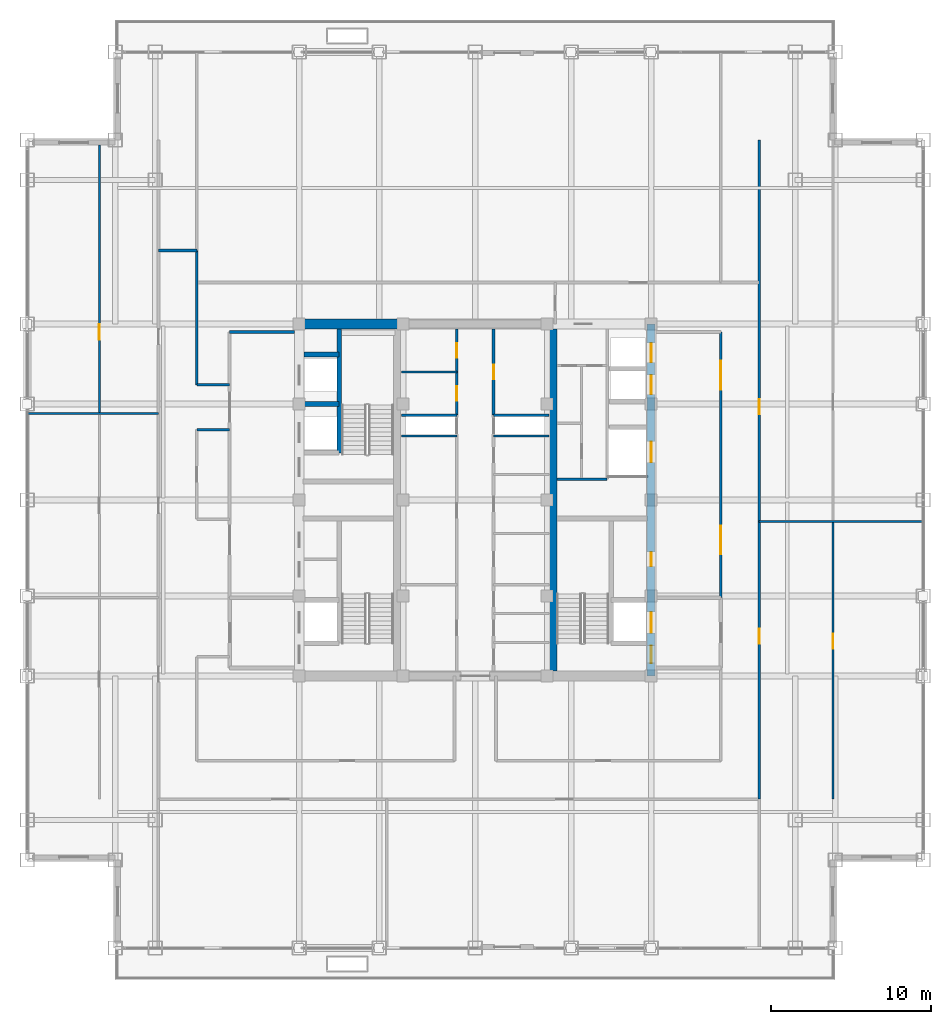
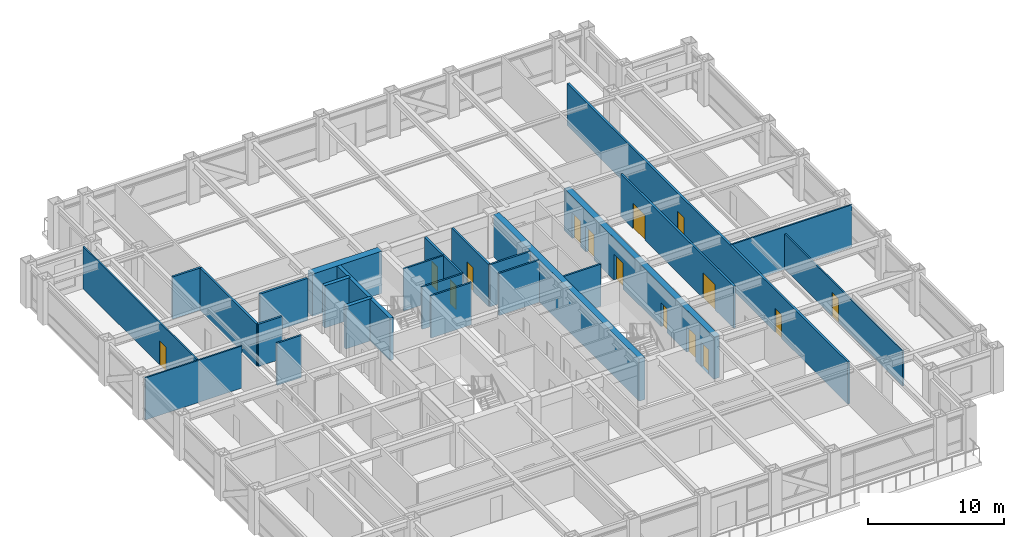
# One storey, part 28 of 32: 25 walls, 15 doors, 15 openings.
"""IFC4 building model written with IfcOpenShell, lengths in metres."""

import ifcopenshell
import ifcopenshell.guid

model = None  # the IFC model being written
_history = None  # IfcOwnerHistory: only IFC2X3 demands one
_inside = {}  # id of a spatial element -> (the spatial element, [elements in it])
_under = {}  # id of a project, library or spatial element -> (it, [spatial elements below it])
_declared = {}  # id of a project -> (the project, [libraries it declares])
_typed = {}  # id of a type object -> (the type object, [elements of that type])
_made_of = {}  # id of a material, layer set ... -> (it, [elements and type objects made of it])


def new_model(schema):
    """Start an empty IFC model of exactly this schema.

    Asked for "IFC4X3", IfcOpenShell would pick the latest addendum, in which some entities
    have other attributes; the version numbers below select the first issue.
    IFC2X3 requires an IfcOwnerHistory on every rooted entity: one is made here for all.
    """
    global model, _history
    if schema == "IFC4X3":
        model = ifcopenshell.file(schema_version=(4, 3, 0, 0))
    else:
        model = ifcopenshell.file(schema=schema)
    _inside.clear()
    _under.clear()
    _declared.clear()
    _typed.clear()
    _made_of.clear()
    _history = None
    if model.schema == "IFC2X3":
        org = make("IfcOrganization", Name="unknown")
        user = make(
            "IfcPersonAndOrganization",
            ThePerson=make("IfcPerson", FamilyName="unknown"),
            TheOrganization=org,
        )
        app = make(
            "IfcApplication",
            ApplicationDeveloper=org,
            Version="unknown",
            ApplicationFullName="unknown",
            ApplicationIdentifier="unknown",
        )
        _history = make(
            "IfcOwnerHistory",
            OwningUser=user,
            OwningApplication=app,
            ChangeAction="ADDED",
            CreationDate=0,
        )
    return model


def make(cls, **values):
    """One entity of the class cls with the attributes given. An attribute that is None is left unset."""
    return model.create_entity(
        cls, **{name: value for name, value in values.items() if value is not None}
    )


def rooted(cls, **values):
    """An entity with a GlobalId (a new one), such as an element, a storey or a relation."""
    return make(cls, GlobalId=ifcopenshell.guid.new(), OwnerHistory=_history, **values)


def si_unit(unit_type, name, prefix=None):
    """IfcSIUnit, for example si_unit("LENGTHUNIT", "METRE", prefix="MILLI")."""
    return make("IfcSIUnit", UnitType=unit_type, Prefix=prefix, Name=name)


def assignment(units):
    """IfcUnitAssignment: the units of a project."""
    return None if units is None else make("IfcUnitAssignment", Units=units)


def point(xyz):
    """IfcCartesianPoint."""
    return None if xyz is None else make("IfcCartesianPoint", Coordinates=xyz)


def direction(xyz):
    """IfcDirection."""
    return None if xyz is None else make("IfcDirection", DirectionRatios=xyz)


def frame(location, z_axis=None, x_axis=None):
    """IfcAxis2Placement3D, a coordinate frame: its origin and axes. An axis left out is left unset."""
    return make(
        "IfcAxis2Placement3D",
        Location=point(location),
        Axis=direction(z_axis),
        RefDirection=direction(x_axis),
    )


def frame_2d(location, x_axis=None):
    """IfcAxis2Placement2D, a coordinate frame in the plane: its origin and x axis."""
    return make(
        "IfcAxis2Placement2D", Location=point(location), RefDirection=direction(x_axis)
    )


def origin():
    """The frame at (0, 0, 0) with its axes left unset."""
    return frame((0.0, 0.0, 0.0))


def place(relative_to, where):
    """IfcLocalPlacement: puts the frame where relative to a parent placement (None: the world)."""
    return make(
        "IfcLocalPlacement", PlacementRelTo=relative_to, RelativePlacement=where
    )


def context(
    kind, dimensions, precision=None, world=None, true_north=None, identifier=None
):
    """IfcGeometricRepresentationContext, for example the 3D "Model" context."""
    return make(
        "IfcGeometricRepresentationContext",
        ContextIdentifier=identifier,
        ContextType=kind,
        CoordinateSpaceDimension=dimensions,
        Precision=precision,
        WorldCoordinateSystem=world,
        TrueNorth=true_north,
    )


def subcontext(parent, identifier, kind, view, scale=None):
    """IfcGeometricRepresentationSubContext, for example "Body" below "Model"."""
    return make(
        "IfcGeometricRepresentationSubContext",
        ContextIdentifier=identifier,
        ContextType=kind,
        ParentContext=parent,
        TargetScale=scale,
        TargetView=view,
    )


def project(units=None, contexts=None):
    """IfcProject with its units and contexts."""
    return rooted(
        "IfcProject",
        Name="project",
        RepresentationContexts=contexts,
        UnitsInContext=assignment(units),
    )


def spatial(cls, under=None, at=None, **own):
    """A site, building, storey or space (cls), placed at a placement, below another one or the project."""
    s = rooted(cls, ObjectPlacement=at, **own)
    if under is not None:
        _under.setdefault(under.id(), (under, []))[1].append(s)
    return s


def profile(cls, at=None, kind="AREA", **sizes):
    """A parametric profile (cls). Its sizes go by their IFC names, for example OverallWidth=200.0."""
    return make(cls, ProfileType=kind, Position=at, **sizes)


def rectangle(**sizes):
    """IfcRectangleProfileDef."""
    return profile("IfcRectangleProfileDef", **sizes)


def extrude(swept, where, along, depth):
    """IfcExtrudedAreaSolid: the profile swept, set in the frame where, extruded along a direction by depth."""
    return make(
        "IfcExtrudedAreaSolid",
        SweptArea=swept,
        Position=where,
        ExtrudedDirection=direction(along),
        Depth=depth,
    )


def shape(context_of_items, identifier, shape_type, items):
    """IfcShapeRepresentation: the items that make up one representation, for example the "Body"."""
    return make(
        "IfcShapeRepresentation",
        ContextOfItems=context_of_items,
        RepresentationIdentifier=identifier,
        RepresentationType=shape_type,
        Items=items,
    )


def source(mapping_origin, context_of_items, identifier, shape_type, items):
    """IfcRepresentationMap: a shape defined once, which mapped items show again and again."""
    return make(
        "IfcRepresentationMap",
        MappingOrigin=mapping_origin,
        MappedRepresentation=shape(context_of_items, identifier, shape_type, items),
    )


def transform(
    local_origin,
    x_axis=None,
    y_axis=None,
    z_axis=None,
    scale=None,
    scale2=None,
    scale3=None,
    uniform=True,
):
    """IfcCartesianTransformationOperator3D, or its non-uniform kind. x_axis, y_axis, z_axis: its Axis1, 2, 3."""
    if uniform:
        return make(
            "IfcCartesianTransformationOperator3D",
            Axis1=direction(x_axis),
            Axis2=direction(y_axis),
            LocalOrigin=point(local_origin),
            Scale=scale,
            Axis3=direction(z_axis),
        )
    return make(
        "IfcCartesianTransformationOperator3DnonUniform",
        Axis1=direction(x_axis),
        Axis2=direction(y_axis),
        LocalOrigin=point(local_origin),
        Scale=scale,
        Axis3=direction(z_axis),
        Scale2=scale2,
        Scale3=scale3,
    )


def mapped(mapping_source, mapping_target):
    """IfcMappedItem: shows the shape of a source again, moved by a transform."""
    return make(
        "IfcMappedItem", MappingSource=mapping_source, MappingTarget=mapping_target
    )


def material(Name=None, Category=None):
    """IfcMaterial."""
    return make("IfcMaterial", Name=Name, Category=Category)


def layer(
    of_material, thickness, ventilated=None, Name=None, Category=None, Priority=None
):
    """IfcMaterialLayer: one layer of a wall or slab, of a material (None: an air gap)."""
    return make(
        "IfcMaterialLayer",
        Material=of_material,
        LayerThickness=thickness,
        IsVentilated=ventilated,
        Name=Name,
        Category=Category,
        Priority=Priority,
    )


def layer_set(layers, Name=None):
    """IfcMaterialLayerSet."""
    return make("IfcMaterialLayerSet", MaterialLayers=layers, LayerSetName=Name)


def made_of(thing, what):
    """Note that an element or type object is made of a material, layer set ...; save() writes the relation."""
    if what is not None:
        _made_of.setdefault(what.id(), (what, []))[1].append(thing)
    return thing


def type_object(cls, material=None, **own):
    """A type object (cls), such as IfcWallType, which elements share."""
    return made_of(rooted(cls, **own), material)


def element(
    cls,
    number,
    at=None,
    inside=None,
    cuts=None,
    type_object=None,
    material=None,
    context=None,
    identifier="Body",
    shape_type=None,
    held_by="IfcProductDefinitionShape",
    body=None,
    shapes=None,
    **own,
):
    """One element of the class cls, such as IfcWall. Its Tag is "e" and its number.

    at: its placement. inside: the storey or other place that contains it. cuts: it is an
    opening in that element (IfcRelVoidsElement). A single representation is given by context,
    identifier, shape_type and body (its items); several are given by shapes. held_by: the class
    of the entity that holds the representations. save() writes the other relations.
    """
    e = rooted(cls, Tag="e%d" % number, ObjectPlacement=at, **own)
    if body is not None:
        shapes = [shape(context, identifier, shape_type, body)]
    if shapes is not None:
        e.Representation = make(held_by, Representations=shapes)
    if inside is not None:
        _inside.setdefault(inside.id(), (inside, []))[1].append(e)
    if cuts is not None:
        rooted(
            "IfcRelVoidsElement", RelatingBuildingElement=cuts, RelatedOpeningElement=e
        )
    if type_object is not None:
        _typed.setdefault(type_object.id(), (type_object, []))[1].append(e)
    return made_of(e, material)


def fill(opening, filler):
    """IfcRelFillsElement: the door or window that sits in an opening."""
    return rooted(
        "IfcRelFillsElement",
        RelatingOpeningElement=opening,
        RelatedBuildingElement=filler,
    )


def aggregate(whole, parts):
    """IfcRelAggregates: a whole, such as a stair, and the parts it consists of."""
    return rooted("IfcRelAggregates", RelatingObject=whole, RelatedObjects=parts)


def save(model, path):
    """Write the relations noted so far, then the file.

    IfcRelAggregates (storeys below a building ...), IfcRelContainedInSpatialStructure (elements
    in a storey), IfcRelDefinesByType, IfcRelAssociatesMaterial and IfcRelDeclares: one each for
    every whole, place, type object, material and project.
    """
    for whole, parts in _under.values():
        aggregate(whole, parts)
    for where, things in _inside.values():
        rooted(
            "IfcRelContainedInSpatialStructure",
            RelatedElements=things,
            RelatingStructure=where,
        )
    for kind, things in _typed.values():
        rooted("IfcRelDefinesByType", RelatedObjects=things, RelatingType=kind)
    for what, things in _made_of.values():
        rooted("IfcRelAssociatesMaterial", RelatedObjects=things, RelatingMaterial=what)
    for by, libraries in _declared.values():
        rooted("IfcRelDeclares", RelatingContext=by, RelatedDefinitions=libraries)
    model.write(path)


model = new_model("IFC4")

# Units and contexts
model_context = context("Model", 3, precision=1e-05, world=origin(), true_north=direction((0.0, 1.0)))
body_context = subcontext(model_context, "Body", "Model", "MODEL_VIEW")
ifc_project = project(units=[si_unit("LENGTHUNIT", "METRE"), si_unit("AREAUNIT", "SQUARE_METRE"), si_unit("VOLUMEUNIT", "CUBIC_METRE"), si_unit("PLANEANGLEUNIT", "RADIAN"), si_unit("MASSUNIT", "GRAM", prefix="KILO")], contexts=[model_context])

# Site, building, storey
site_placement = place(None, origin())
site = spatial("IfcSite", under=ifc_project, at=site_placement, CompositionType="ELEMENT")
building_placement = place(site_placement, origin())
building = spatial("IfcBuilding", under=site, at=building_placement, Name="Khorayat Bourse Tower", CompositionType="ELEMENT")
storey_placement = place(building_placement, frame((0.0, 0.0, 273.5)))
storey = spatial("IfcBuildingStorey", under=building, at=storey_placement, Name="L64", CompositionType="ELEMENT", Elevation=273.5)

# Wall, openings, doors
ifc_material_1 = material(Name="Concrete C52/65", Category="concrete")
ifc_layer_1 = layer(ifc_material_1, 0.5)
ifc_layer_set_1 = layer_set([ifc_layer_1], Name="Concrete C52/65")
wall_type_1 = type_object("IfcWallType", Name="WAL-CORE-500", PredefinedType="SHEAR", material=ifc_layer_set_1)
shared_shape_1 = source(origin(), body_context, "Body", "SweptSolid", [
    extrude(rectangle(XDim=22.0, YDim=0.5, at=frame_2d((11.0, 0.0))), origin(), (0.0, 0.0, 1.0), 3.780029296875),
])
wall_1_placement = place(storey_placement, frame((11.0, -11.0, 0.0), z_axis=(0.0, 0.0, 1.0), x_axis=(0.0, 1.0, 0.0)))
wall_1 = element("IfcWall", 1, at=wall_1_placement, inside=storey, type_object=wall_type_1, Name="L64 Core Shear Wall CORE-E", PredefinedType="SHEAR", context=body_context, shape_type="MappedRepresentation", body=[
    mapped(shared_shape_1, transform((0.0, 0.0, 0.0), scale=1.0)),
])
shared_shape_2 = source(origin(), body_context, "Body", "SweptSolid", [
    extrude(rectangle(XDim=1.10009765625, YDim=2.199951171875, at=frame_2d((0.550048828125, 1.10009765625))), frame((0.0, 0.260009765625, 0.0), z_axis=(0.0, -1.0, 0.0), x_axis=(1.0, 0.0, 0.0)), (0.0, 0.0, 1.0), 0.52001953125),
])
opening_1_placement = place(wall_1_placement, frame((0.800048828125, 0.0, 0.0)))
opening_1 = element("IfcOpeningElement", 2, at=opening_1_placement, cuts=wall_1, Name="Opening DI-01", PredefinedType="OPENING", context=body_context, shape_type="MappedRepresentation", body=[
    mapped(shared_shape_2, transform((0.0, 0.0, 0.0), scale=1.0)),
])
shared_shape_3 = source(origin(), body_context, "Body", "SweptSolid", [
    extrude(rectangle(XDim=0.89990234375, YDim=2.14990234375, at=frame_2d((0.449951171875, 1.074951171875))), frame((0.0, 0.260009765625, 0.0), z_axis=(0.0, -1.0, 0.0), x_axis=(1.0, 0.0, 0.0)), (0.0, 0.0, 1.0), 0.52001953125),
])
opening_2_placement = place(wall_1_placement, frame((6.85009765625, 0.0, 0.0)))
opening_2 = element("IfcOpeningElement", 3, at=opening_2_placement, cuts=wall_1, Name="Opening DI-06", PredefinedType="OPENING", context=body_context, shape_type="MappedRepresentation", body=[
    mapped(shared_shape_3, transform((0.0, 0.0, 0.0), scale=1.0)),
])
shared_shape_4 = source(origin(), body_context, "Body", "SweptSolid", [
    extrude(rectangle(XDim=1.199951171875, YDim=2.300048828125, at=frame_2d((0.60009765625, 1.14990234375))), frame((0.0, 0.260009765625, 0.0), z_axis=(0.0, -1.0, 0.0), x_axis=(1.0, 0.0, 0.0)), (0.0, 0.0, 1.0), 0.52001953125),
])
opening_3_placement = place(wall_1_placement, frame((17.60009765625, 0.0, 0.0)))
opening_3 = element("IfcOpeningElement", 4, at=opening_3_placement, cuts=wall_1, Name="Opening LD-01", PredefinedType="OPENING", context=body_context, shape_type="MappedRepresentation", body=[
    mapped(shared_shape_4, transform((0.0, 0.0, 0.0), scale=1.0)),
])
opening_4_placement = place(wall_1_placement, frame((19.60009765625, 0.0, 0.0)))
opening_4 = element("IfcOpeningElement", 5, at=opening_4_placement, cuts=wall_1, Name="Opening LD-01", PredefinedType="OPENING", context=body_context, shape_type="MappedRepresentation", body=[
    mapped(shared_shape_4, transform((0.0, 0.0, 0.0), scale=1.0)),
])
shared_shape_5 = source(origin(), body_context, "Body", "SweptSolid", [
    extrude(rectangle(XDim=1.300048828125, YDim=2.300048828125, at=frame_2d((0.64990234375, 1.14990234375))), frame((0.0, 0.260009765625, 0.0), z_axis=(0.0, -1.0, 0.0), x_axis=(1.0, 0.0, 0.0)), (0.0, 0.0, 1.0), 0.52001953125),
])
opening_5_placement = place(wall_1_placement, frame((2.699951171875, 0.0, 0.0)))
opening_5 = element("IfcOpeningElement", 6, at=opening_5_placement, cuts=wall_1, Name="Opening LD-02", PredefinedType="OPENING", context=body_context, shape_type="MappedRepresentation", body=[
    mapped(shared_shape_5, transform((0.0, 0.0, 0.0), scale=1.0)),
])
opening_6_placement = place(wall_1_placement, frame((13.35009765625, 0.0, 0.0)))
opening_6 = element("IfcOpeningElement", 7, at=opening_6_placement, cuts=wall_1, Name="Opening LD-02", PredefinedType="OPENING", context=body_context, shape_type="MappedRepresentation", body=[
    mapped(shared_shape_5, transform((0.0, 0.0, 0.0), scale=1.0)),
])
ifc_material_2 = material(Name="Fire-rated steel acoustic leaf", Category="steel")
door_type_1 = type_object("IfcDoorType", Name="DR-INT-STAIR-1100", OperationType="NOTDEFINED", PredefinedType="DOOR", material=ifc_material_2)
shared_shape_6 = source(origin(), body_context, "Body", "SweptSolid", [
    extrude(rectangle(XDim=1.10009765625, YDim=2.199951171875, at=frame_2d((0.550048828125, 1.10009765625))), frame((0.0, 0.02490234375, 0.0), z_axis=(0.0, -1.0, 0.0), x_axis=(1.0, 0.0, 0.0)), (0.0, 0.0, 1.0), 0.050048828125),
])
door_1_placement = place(opening_1_placement, origin())
door_1 = element("IfcDoor", 8, at=door_1_placement, inside=storey, type_object=door_type_1, Name="L64 Exit Stair 3 Door", OperationType="SINGLE_SWING_LEFT", OverallHeight=2.199951171875, OverallWidth=1.10009765625, PredefinedType="DOOR", context=body_context, shape_type="MappedRepresentation", body=[
    mapped(shared_shape_6, transform((0.0, 0.0, 0.0), scale=1.0)),
])
fill(opening_1, door_1)
ifc_material_3 = material(Name="Moisture-resistant laminate washroom door")
door_type_2 = type_object("IfcDoorType", Name="DR-INT-WC-900", OperationType="NOTDEFINED", PredefinedType="DOOR", material=ifc_material_3)
shared_shape_7 = source(origin(), body_context, "Body", "SweptSolid", [
    extrude(rectangle(XDim=0.89990234375, YDim=2.14990234375, at=frame_2d((0.449951171875, 1.074951171875))), frame((0.0, 0.02490234375, 0.0), z_axis=(0.0, -1.0, 0.0), x_axis=(1.0, 0.0, 0.0)), (0.0, 0.0, 1.0), 0.050048828125),
])
door_2_placement = place(opening_2_placement, origin())
door_2 = element("IfcDoor", 9, at=door_2_placement, inside=storey, type_object=door_type_2, Name="L64 Telecom Server Plant Room Door", OperationType="SINGLE_SWING_LEFT", OverallHeight=2.14990234375, OverallWidth=0.89990234375, PredefinedType="DOOR", context=body_context, shape_type="MappedRepresentation", body=[
    mapped(shared_shape_7, transform((0.0, 0.0, 0.0), scale=1.0)),
])
fill(opening_2, door_2)
ifc_material_4 = material(Name="Brushed bronze stainless-steel sliding door", Category="steel")
door_type_3 = type_object("IfcDoorType", Name="DR-LIFT-PASS-1200", OperationType="NOTDEFINED", PredefinedType="DOOR", material=ifc_material_4)
shared_shape_8 = source(origin(), body_context, "Body", "SweptSolid", [
    extrude(rectangle(XDim=1.199951171875, YDim=2.300048828125, at=frame_2d((0.60009765625, 1.14990234375))), frame((0.0, 0.02490234375, 0.0), z_axis=(0.0, -1.0, 0.0), x_axis=(1.0, 0.0, 0.0)), (0.0, 0.0, 1.0), 0.050048828125),
])
door_3_placement = place(opening_3_placement, origin())
door_3 = element("IfcDoor", 10, at=door_3_placement, inside=storey, type_object=door_type_3, Name="L64 Lift PL-H3 Sliding Landing Door", OperationType="SLIDING_TO_LEFT", OverallHeight=2.300048828125, OverallWidth=1.199951171875, PredefinedType="DOOR", context=body_context, shape_type="MappedRepresentation", body=[
    mapped(shared_shape_8, transform((0.0, 0.0, 0.0), scale=1.0)),
])
fill(opening_3, door_3)
door_4_placement = place(opening_4_placement, origin())
door_4 = element("IfcDoor", 11, at=door_4_placement, inside=storey, type_object=door_type_3, Name="L64 Lift PL-H4 Sliding Landing Door", OperationType="SLIDING_TO_LEFT", OverallHeight=2.300048828125, OverallWidth=1.199951171875, PredefinedType="DOOR", context=body_context, shape_type="MappedRepresentation", body=[
    mapped(shared_shape_8, transform((0.0, 0.0, 0.0), scale=1.0)),
])
fill(opening_4, door_4)
ifc_material_5 = material(Name="Fire-rated stainless-steel sliding landing door", Category="steel")
door_type_4 = type_object("IfcDoorType", Name="DR-LIFT-FF-1300", OperationType="NOTDEFINED", PredefinedType="DOOR", material=ifc_material_5)
shared_shape_9 = source(origin(), body_context, "Body", "SweptSolid", [
    extrude(rectangle(XDim=1.300048828125, YDim=2.300048828125, at=frame_2d((0.64990234375, 1.14990234375))), frame((0.0, 0.02490234375, 0.0), z_axis=(0.0, -1.0, 0.0), x_axis=(1.0, 0.0, 0.0)), (0.0, 0.0, 1.0), 0.050048828125),
])
door_5_placement = place(opening_5_placement, origin())
door_5 = element("IfcDoor", 12, at=door_5_placement, inside=storey, type_object=door_type_4, Name="L64 Lift FFL-02 Sliding Landing Door", OperationType="SLIDING_TO_LEFT", OverallHeight=2.300048828125, OverallWidth=1.300048828125, PredefinedType="DOOR", context=body_context, shape_type="MappedRepresentation", body=[
    mapped(shared_shape_9, transform((0.0, 0.0, 0.0), scale=1.0)),
])
fill(opening_5, door_5)
door_6_placement = place(opening_6_placement, origin())
door_6 = element("IfcDoor", 13, at=door_6_placement, inside=storey, type_object=door_type_4, Name="L64 Lift SVL-01 Sliding Landing Door", OperationType="SLIDING_TO_LEFT", OverallHeight=2.300048828125, OverallWidth=1.300048828125, PredefinedType="DOOR", context=body_context, shape_type="MappedRepresentation", body=[
    mapped(shared_shape_9, transform((0.0, 0.0, 0.0), scale=1.0)),
])
fill(opening_6, door_6)

# Walls
shared_shape_10 = source(origin(), body_context, "Body", "SweptSolid", [
    extrude(rectangle(XDim=21.39990234375, YDim=0.5, at=frame_2d((10.699951171875, 0.0))), origin(), (0.0, 0.0, 1.0), 3.780029296875),
])
wall_2_placement = place(storey_placement, frame((4.85009765625, -10.699951171875, 0.0), z_axis=(0.0, 0.0, 1.0), x_axis=(0.0, 1.0, 0.0)))
element("IfcWall", 14, at=wall_2_placement, inside=storey, type_object=wall_type_1, Name="L64 Core Shear Wall PIER-E", PredefinedType="SHEAR", context=body_context, shape_type="MappedRepresentation", body=[
    mapped(shared_shape_10, transform((0.0, 0.0, 0.0), scale=1.0)),
])
ifc_material_6 = material(Name="Concrete C60/75", Category="concrete")
ifc_layer_2 = layer(ifc_material_6, 0.60009765625)
ifc_layer_set_2 = layer_set([ifc_layer_2], Name="Concrete C60/75")
wall_type_2 = type_object("IfcWallType", Name="WAL-CORE-600", PredefinedType="SHEAR", material=ifc_layer_set_2)
shared_shape_11 = source(origin(), body_context, "Body", "SweptSolid", [
    extrude(rectangle(XDim=5.89990234375, YDim=0.60009765625, at=frame_2d((2.949951171875, 0.0))), origin(), (0.0, 0.0, 1.0), 3.780029296875),
])
wall_3_placement = place(storey_placement, frame((-10.75, 11.0, 0.0), z_axis=(0.0, 0.0, 1.0), x_axis=(1.0, 0.0, 0.0)))
element("IfcWall", 15, at=wall_3_placement, inside=storey, type_object=wall_type_2, Name="L64 Core Shear Wall PIER-WN", PredefinedType="SHEAR", context=body_context, shape_type="MappedRepresentation", body=[
    mapped(shared_shape_11, transform((0.0, 0.0, 0.0), scale=1.0)),
])
ifc_material_7 = material(Name="Concrete C50/60", Category="concrete")
ifc_layer_3 = layer(ifc_material_7, 0.300048828125)
ifc_layer_set_3 = layer_set([ifc_layer_3], Name="Concrete C50/60")
wall_type_3 = type_object("IfcWallType", Name="WAL-SHAFT-300", PredefinedType="SHEAR", material=ifc_layer_set_3)
shared_shape_12 = source(origin(), body_context, "Body", "SweptSolid", [
    extrude(rectangle(XDim=2.199951171875, YDim=0.300048828125, at=frame_2d((1.10009765625, 0.0))), origin(), (0.0, 0.0, 1.0), 3.780029296875),
])
for number, where, z_axis, x_axis, name in (
    (16, (-10.699951171875, 6.0, 0.0), (0.0, 0.0, 1.0), (1.0, 0.0, 0.0), "L64 Partition WAL-L64-WPIER-H12"),
    (17, (-10.699951171875, 9.10009765625, 0.0), (0.0, 0.0, 1.0), (1.0, 0.0, 0.0), "L64 Partition WAL-L64-WPIER-H2N"),
):
    element("IfcWall", number, at=place(storey_placement, frame(where, z_axis=z_axis, x_axis=x_axis)), inside=storey, type_object=wall_type_3, Name=name, PredefinedType="SHEAR", context=body_context, shape_type="MappedRepresentation", body=[
        mapped(shared_shape_12, transform((0.0, 0.0, 0.0), scale=1.0)),
    ])
shared_shape_13 = source(origin(), body_context, "Body", "SweptSolid", [
    extrude(rectangle(XDim=7.75, YDim=0.300048828125, at=frame_2d((3.875, 0.0))), origin(), (0.0, 0.0, 1.0), 3.780029296875),
])
wall_4_placement = place(storey_placement, frame((-8.5, 2.949951171875, 0.0), z_axis=(0.0, 0.0, 1.0), x_axis=(0.0, 1.0, 0.0)))
element("IfcWall", 18, at=wall_4_placement, inside=storey, type_object=wall_type_3, Name="L64 Partition WAL-L64-WPIER-ST2S", PredefinedType="SHEAR", context=body_context, shape_type="MappedRepresentation", body=[
    mapped(shared_shape_13, transform((0.0, 0.0, 0.0), scale=1.0)),
])
ifc_material_8 = material(Name="Moisture-resistant masonry partition", Category="masonry")
ifc_layer_4 = layer(ifc_material_8, 0.139892578125)
ifc_layer_set_4 = layer_set([ifc_layer_4], Name="Moisture-resistant masonry partition")
wall_type_4 = type_object("IfcWallType", Name="WAL-PART-WET-140", PredefinedType="PARTITIONING", material=ifc_layer_set_4)
shared_shape_14 = source(origin(), body_context, "Body", "SweptSolid", [
    extrude(rectangle(XDim=3.14990234375, YDim=0.139892578125, at=frame_2d((1.574951171875, 0.0))), origin(), (0.0, 0.0, 1.0), 3.780029296875),
])
wall_5_placement = place(storey_placement, frame((5.10009765625, 1.300048828125, 0.0), z_axis=(0.0, 0.0, 1.0), x_axis=(1.0, 0.0, 0.0)))
element("IfcWall", 19, at=wall_5_placement, inside=storey, type_object=wall_type_4, Name="L64 Partition WAL-L64-ECORE-S", PredefinedType="PARTITIONING", context=body_context, shape_type="MappedRepresentation", body=[
    mapped(shared_shape_14, transform((0.0, 0.0, 0.0), scale=1.0)),
])
ifc_material_9 = material(Name="Gypsum plasterboard acoustic stud wall")
ifc_layer_5 = layer(ifc_material_9, 0.179931640625)
ifc_layer_set_5 = layer_set([ifc_layer_5], Name="Gypsum plasterboard acoustic stud wall")
wall_type_5 = type_object("IfcWallType", Name="WAL-PART-CORR-180", PredefinedType="PARTITIONING", material=ifc_layer_set_5)
shared_shape_15 = source(origin(), body_context, "Body", "SweptSolid", [
    extrude(rectangle(XDim=4.050048828125, YDim=0.179931640625, at=frame_2d((2.02490234375, 0.0))), origin(), (0.0, 0.0, 1.0), 3.780029296875),
])
wall_6_placement = place(storey_placement, frame((-15.35009765625, 10.5, 0.0), z_axis=(0.0, 0.0, 1.0), x_axis=(1.0, 0.0, 0.0)))
element("IfcWall", 20, at=wall_6_placement, inside=storey, type_object=wall_type_5, Name="L64 Partition WAL-L64-WLOB-N", PredefinedType="PARTITIONING", context=body_context, shape_type="MappedRepresentation", body=[
    mapped(shared_shape_15, transform((0.0, 0.0, 0.0), scale=1.0)),
])

# Wall, openings, doors
shared_shape_16 = source(origin(), body_context, "Body", "SweptSolid", [
    extrude(rectangle(XDim=16.60009765625, YDim=0.179931640625, at=frame_2d((8.300048828125, 0.0))), origin(), (0.0, 0.0, 1.0), 3.780029296875),
])
wall_7_placement = place(storey_placement, frame((15.35009765625, -6.10009765625, 0.0), z_axis=(0.0, 0.0, 1.0), x_axis=(0.0, 1.0, 0.0)))
wall_7 = element("IfcWall", 21, at=wall_7_placement, inside=storey, type_object=wall_type_5, Name="L64 Partition WAL-L64-ELOB-E", PredefinedType="PARTITIONING", context=body_context, shape_type="MappedRepresentation", body=[
    mapped(shared_shape_16, transform((0.0, 0.0, 0.0), scale=1.0)),
])
shared_shape_17 = source(origin(), body_context, "Body", "SweptSolid", [
    extrude(rectangle(XDim=1.800048828125, YDim=2.25, at=frame_2d((0.89990234375, 1.125))), frame((0.0, 0.099853515625, 0.0), z_axis=(0.0, -1.0, 0.0), x_axis=(1.0, 0.0, 0.0)), (0.0, 0.0, 1.0), 0.199951171875),
])
opening_7_placement = place(wall_7_placement, frame((2.699951171875, 0.0, 0.0)))
opening_7 = element("IfcOpeningElement", 22, at=opening_7_placement, cuts=wall_7, Name="Opening DI-03", PredefinedType="OPENING", context=body_context, shape_type="MappedRepresentation", body=[
    mapped(shared_shape_17, transform((0.0, 0.0, 0.0), scale=1.0)),
])
opening_8_placement = place(wall_7_placement, frame((13.0, 0.0, 0.0)))
opening_8 = element("IfcOpeningElement", 23, at=opening_8_placement, cuts=wall_7, Name="Opening DI-03", PredefinedType="OPENING", context=body_context, shape_type="MappedRepresentation", body=[
    mapped(shared_shape_17, transform((0.0, 0.0, 0.0), scale=1.0)),
])
ifc_material_10 = material(Name="Fire-rated hardwood vision-panel double leaf", Category="wood")
door_type_5 = type_object("IfcDoorType", Name="DR-INT-CORR-1800", OperationType="NOTDEFINED", PredefinedType="DOOR", material=ifc_material_10)
shared_shape_18 = source(origin(), body_context, "Body", "SweptSolid", [
    extrude(rectangle(XDim=1.800048828125, YDim=2.25, at=frame_2d((0.89990234375, 1.125))), frame((0.0, 0.02490234375, 0.0), z_axis=(0.0, -1.0, 0.0), x_axis=(1.0, 0.0, 0.0)), (0.0, 0.0, 1.0), 0.050048828125),
])
door_7_placement = place(opening_7_placement, origin())
door_7 = element("IfcDoor", 24, at=door_7_placement, inside=storey, type_object=door_type_5, Name="L64 East Core Lobby South Door", OperationType="SINGLE_SWING_RIGHT", OverallHeight=2.25, OverallWidth=1.800048828125, PredefinedType="DOOR", context=body_context, shape_type="MappedRepresentation", body=[
    mapped(shared_shape_18, transform((0.0, 0.0, 0.0), scale=1.0)),
])
fill(opening_7, door_7)
door_8_placement = place(opening_8_placement, origin())
door_8 = element("IfcDoor", 25, at=door_8_placement, inside=storey, type_object=door_type_5, Name="L64 East Core Lobby North Door", OperationType="SINGLE_SWING_LEFT", OverallHeight=2.25, OverallWidth=1.800048828125, PredefinedType="DOOR", context=body_context, shape_type="MappedRepresentation", body=[
    mapped(shared_shape_18, transform((0.0, 0.0, 0.0), scale=1.0)),
])
fill(opening_8, door_8)

# Walls
ifc_material_11 = material(Name="Gypsum plasterboard twin-frame partition")
ifc_layer_6 = layer(ifc_material_11, 0.14990234375)
ifc_layer_set_6 = layer_set([ifc_layer_6], Name="Gypsum plasterboard twin-frame partition")
wall_type_6 = type_object("IfcWallType", Name="WAL-PART-SUITE-150", PredefinedType="PARTITIONING", material=ifc_layer_set_6)
shared_shape_19 = source(origin(), body_context, "Body", "SweptSolid", [
    extrude(rectangle(XDim=3.4501953125, YDim=0.14990234375, at=frame_2d((1.72509765625, 0.0))), origin(), (0.0, 0.0, 1.0), 3.780029296875),
])
for number, where, z_axis, x_axis, name in (
    (26, (-4.60009765625, 4.0, 0.0), (0.0, 0.0, 1.0), (1.0, 0.0, 0.0), "L64 Partition WAL-L64-CRSW-S"),
    (27, (1.14990234375, 4.0, 0.0), (0.0, 0.0, 1.0), (1.0, 0.0, 0.0), "L64 Partition WAL-L64-CRSE-S"),
    (28, (-4.60009765625, 5.300048828125, 0.0), (0.0, 0.0, 1.0), (1.0, 0.0, 0.0), "L64 Partition WAL-L64-FB2-SW"),
    (29, (1.14990234375, 5.300048828125, 0.0), (0.0, 0.0, 1.0), (1.0, 0.0, 0.0), "L64 Partition WAL-L64-FB2-SE"),
):
    element("IfcWall", number, at=place(storey_placement, frame(where, z_axis=z_axis, x_axis=x_axis)), inside=storey, type_object=wall_type_6, Name=name, PredefinedType="PARTITIONING", context=body_context, shape_type="MappedRepresentation", body=[
        mapped(shared_shape_19, transform((0.0, 0.0, 0.0), scale=1.0)),
    ])

# Wall, openings, doors
shared_shape_20 = source(origin(), body_context, "Body", "SweptSolid", [
    extrude(rectangle(XDim=5.39990234375, YDim=0.179931640625, at=frame_2d((2.699951171875, 0.0))), origin(), (0.0, 0.0, 1.0), 3.780029296875),
])
wall_8_placement = place(storey_placement, frame((-1.14990234375, 5.300048828125, 0.0), z_axis=(0.0, 0.0, 1.0), x_axis=(0.0, 1.0, 0.0)))
wall_8 = element("IfcWall", 30, at=wall_8_placement, inside=storey, type_object=wall_type_5, Name="L64 Partition WAL-L64-FB2W-L", PredefinedType="PARTITIONING", context=body_context, shape_type="MappedRepresentation", body=[
    mapped(shared_shape_20, transform((0.0, 0.0, 0.0), scale=1.0)),
])
shared_shape_21 = source(origin(), body_context, "Body", "SweptSolid", [
    extrude(rectangle(XDim=0.89990234375, YDim=2.14990234375, at=frame_2d((0.449951171875, 1.074951171875))), frame((0.0, 0.099853515625, 0.0), z_axis=(0.0, -1.0, 0.0), x_axis=(1.0, 0.0, 0.0)), (0.0, 0.0, 1.0), 0.199951171875),
])
opening_9_placement = place(wall_8_placement, frame((0.89990234375, 0.0, 0.0)))
opening_9 = element("IfcOpeningElement", 31, at=opening_9_placement, cuts=wall_8, Name="Opening DI-06", PredefinedType="OPENING", context=body_context, shape_type="MappedRepresentation", body=[
    mapped(shared_shape_21, transform((0.0, 0.0, 0.0), scale=1.0)),
])
opening_10_placement = place(wall_8_placement, frame((3.60009765625, 0.0, 0.0)))
opening_10 = element("IfcOpeningElement", 32, at=opening_10_placement, cuts=wall_8, Name="Opening DI-06", PredefinedType="OPENING", context=body_context, shape_type="MappedRepresentation", body=[
    mapped(shared_shape_21, transform((0.0, 0.0, 0.0), scale=1.0)),
])
door_9_placement = place(opening_9_placement, origin())
door_9 = element("IfcDoor", 33, at=door_9_placement, inside=storey, type_object=door_type_2, Name="L64 BMS Server Plant Room Door", OperationType="SINGLE_SWING_RIGHT", OverallHeight=2.14990234375, OverallWidth=0.89990234375, PredefinedType="DOOR", context=body_context, shape_type="MappedRepresentation", body=[
    mapped(shared_shape_7, transform((0.0, 0.0, 0.0), scale=1.0)),
])
fill(opening_9, door_9)
door_10_placement = place(opening_10_placement, origin())
door_10 = element("IfcDoor", 34, at=door_10_placement, inside=storey, type_object=door_type_2, Name="L64 Executive Supply Store Door", OperationType="SINGLE_SWING_LEFT", OverallHeight=2.14990234375, OverallWidth=0.89990234375, PredefinedType="DOOR", context=body_context, shape_type="MappedRepresentation", body=[
    mapped(shared_shape_7, transform((0.0, 0.0, 0.0), scale=1.0)),
])
fill(opening_10, door_10)

# Wall, opening, door
wall_9_placement = place(storey_placement, frame((1.14990234375, 5.300048828125, 0.0), z_axis=(0.0, 0.0, 1.0), x_axis=(0.0, 1.0, 0.0)))
wall_9 = element("IfcWall", 35, at=wall_9_placement, inside=storey, type_object=wall_type_5, Name="L64 Partition WAL-L64-FB2E-L", PredefinedType="PARTITIONING", context=body_context, shape_type="MappedRepresentation", body=[
    mapped(shared_shape_20, transform((0.0, 0.0, 0.0), scale=1.0)),
])
opening_11_placement = place(wall_9_placement, frame((2.25, 0.0, 0.0)))
opening_11 = element("IfcOpeningElement", 36, at=opening_11_placement, cuts=wall_9, Name="Opening DI-06", PredefinedType="OPENING", context=body_context, shape_type="MappedRepresentation", body=[
    mapped(shared_shape_21, transform((0.0, 0.0, 0.0), scale=1.0)),
])
door_11_placement = place(opening_11_placement, origin())
door_11 = element("IfcDoor", 37, at=door_11_placement, inside=storey, type_object=door_type_2, Name="L64 High-Rise Archive Store Door", OperationType="SINGLE_SWING_RIGHT", OverallHeight=2.14990234375, OverallWidth=0.89990234375, PredefinedType="DOOR", context=body_context, shape_type="MappedRepresentation", body=[
    mapped(shared_shape_7, transform((0.0, 0.0, 0.0), scale=1.0)),
])
fill(opening_11, door_11)

# Walls
shared_shape_22 = source(origin(), body_context, "Body", "SweptSolid", [
    extrude(rectangle(XDim=3.4501953125, YDim=0.139892578125, at=frame_2d((1.72509765625, 0.0))), origin(), (0.0, 0.0, 1.0), 3.780029296875),
])
wall_10_placement = place(storey_placement, frame((-4.60009765625, 8.0, 0.0), z_axis=(0.0, 0.0, 1.0), x_axis=(1.0, 0.0, 0.0)))
element("IfcWall", 38, at=wall_10_placement, inside=storey, type_object=wall_type_4, Name="L64 Partition WAL-L64-FB2W-D1", PredefinedType="PARTITIONING", context=body_context, shape_type="MappedRepresentation", body=[
    mapped(shared_shape_22, transform((0.0, 0.0, 0.0), scale=1.0)),
])
shared_shape_23 = source(origin(), body_context, "Body", "SweptSolid", [
    extrude(rectangle(XDim=2.0498046875, YDim=0.14990234375, at=frame_2d((1.02490234375, 0.0))), origin(), (0.0, 0.0, 1.0), 3.780029296875),
])
wall_11_placement = place(storey_placement, frame((-17.39990234375, 4.39990234375, 0.0), z_axis=(0.0, 0.0, 1.0), x_axis=(1.0, 0.0, 0.0)))
element("IfcWall", 39, at=wall_11_placement, inside=storey, type_object=wall_type_6, Name="L64 Partition WAL-L64-PKWM-N", PredefinedType="PARTITIONING", context=body_context, shape_type="MappedRepresentation", body=[
    mapped(shared_shape_23, transform((0.0, 0.0, 0.0), scale=1.0)),
])
shared_shape_24 = source(origin(), body_context, "Body", "SweptSolid", [
    extrude(rectangle(XDim=2.0498046875, YDim=0.179931640625, at=frame_2d((1.02490234375, 0.0))), origin(), (0.0, 0.0, 1.0), 3.780029296875),
])
wall_12_placement = place(storey_placement, frame((-17.39990234375, 7.199951171875, 0.0), z_axis=(0.0, 0.0, 1.0), x_axis=(1.0, 0.0, 0.0)))
element("IfcWall", 40, at=wall_12_placement, inside=storey, type_object=wall_type_5, Name="L64 Partition WAL-L64-THRWN-T", PredefinedType="PARTITIONING", context=body_context, shape_type="MappedRepresentation", body=[
    mapped(shared_shape_24, transform((0.0, 0.0, 0.0), scale=1.0)),
])
shared_shape_25 = source(origin(), body_context, "Body", "SweptSolid", [
    extrude(rectangle(XDim=8.400146484375, YDim=0.179931640625, at=frame_2d((4.2001953125, 0.0))), origin(), (0.0, 0.0, 1.0), 3.780029296875),
])
wall_13_placement = place(storey_placement, frame((-17.39990234375, 7.199951171875, 0.0), z_axis=(0.0, 0.0, 1.0), x_axis=(0.0, 1.0, 0.0)))
element("IfcWall", 41, at=wall_13_placement, inside=storey, type_object=wall_type_5, Name="L64 Partition WAL-L64-THRWN-N", PredefinedType="PARTITIONING", context=body_context, shape_type="MappedRepresentation", body=[
    mapped(shared_shape_25, transform((0.0, 0.0, 0.0), scale=1.0)),
])
shared_shape_26 = source(origin(), body_context, "Body", "SweptSolid", [
    extrude(rectangle(XDim=2.400146484375, YDim=0.179931640625, at=frame_2d((1.2001953125, 0.0))), origin(), (0.0, 0.0, 1.0), 3.780029296875),
])
wall_14_placement = place(storey_placement, frame((-19.800048828125, 15.60009765625, 0.0), z_axis=(0.0, 0.0, 1.0), x_axis=(1.0, 0.0, 0.0)))
element("IfcWall", 42, at=wall_14_placement, inside=storey, type_object=wall_type_5, Name="L64 Partition WAL-L64-GALW-N", PredefinedType="PARTITIONING", context=body_context, shape_type="MappedRepresentation", body=[
    mapped(shared_shape_26, transform((0.0, 0.0, 0.0), scale=1.0)),
])
ifc_material_12 = material(Name="Gypsum plasterboard partition")
ifc_layer_7 = layer(ifc_material_12, 0.125)
ifc_layer_set_7 = layer_set([ifc_layer_7], Name="Gypsum plasterboard partition")
wall_type_7 = type_object("IfcWallType", Name="WAL-PART-ROOM-125", PredefinedType="PARTITIONING", material=ifc_layer_set_7)
shared_shape_27 = source(origin(), body_context, "Body", "SweptSolid", [
    extrude(rectangle(XDim=8.199951171875, YDim=0.125, at=frame_2d((4.10009765625, 0.0))), origin(), (0.0, 0.0, 1.0), 3.780029296875),
])
wall_15_placement = place(storey_placement, frame((-28.0, 5.39208984375, 0.0), z_axis=(0.0, 0.0, 1.0), x_axis=(1.0, 0.0, 0.0)))
element("IfcWall", 43, at=wall_15_placement, inside=storey, type_object=wall_type_7, Name="L64 Partition WAL-L64-WDV-2", PredefinedType="PARTITIONING", context=body_context, shape_type="MappedRepresentation", body=[
    mapped(shared_shape_27, transform((0.0, 0.0, 0.0), scale=1.0)),
])

# Wall, opening, door
shared_shape_28 = source(origin(), body_context, "Body", "SweptSolid", [
    extrude(rectangle(XDim=16.807861328125, YDim=0.125, at=frame_2d((8.40380859375, 0.0))), origin(), (0.0, 0.0, 1.0), 3.780029296875),
])
wall_16_placement = place(storey_placement, frame((-23.489990234375, 5.39208984375, 0.0), z_axis=(0.0, 0.0, 1.0), x_axis=(0.0, 1.0, 0.0)))
wall_16 = element("IfcWall", 44, at=wall_16_placement, inside=storey, type_object=wall_type_7, Name="L64 Partition WAL-L64-WDP-3", PredefinedType="PARTITIONING", context=body_context, shape_type="MappedRepresentation", body=[
    mapped(shared_shape_28, transform((0.0, 0.0, 0.0), scale=1.0)),
])
shared_shape_29 = source(origin(), body_context, "Body", "SweptSolid", [
    extrude(rectangle(XDim=0.949951171875, YDim=2.14990234375, at=frame_2d((0.47509765625, 1.074951171875))), frame((0.0, 0.072509765625, 0.0), z_axis=(0.0, -1.0, 0.0), x_axis=(1.0, 0.0, 0.0)), (0.0, 0.0, 1.0), 0.14501953125),
])
opening_12_placement = place(wall_16_placement, frame((4.62890625, 0.0, 0.0)))
opening_12 = element("IfcOpeningElement", 45, at=opening_12_placement, cuts=wall_16, Name="Opening DI-05", PredefinedType="OPENING", context=body_context, shape_type="MappedRepresentation", body=[
    mapped(shared_shape_29, transform((0.0, 0.0, 0.0), scale=1.0)),
])
ifc_material_13 = material(Name="Acoustic oak veneer office door")
door_type_6 = type_object("IfcDoorType", Name="DR-INT-OFFICE-950", OperationType="NOTDEFINED", PredefinedType="DOOR", material=ifc_material_13)
shared_shape_30 = source(origin(), body_context, "Body", "SweptSolid", [
    extrude(rectangle(XDim=0.949951171875, YDim=2.14990234375, at=frame_2d((0.47509765625, 1.074951171875))), frame((0.0, 0.02490234375, 0.0), z_axis=(0.0, -1.0, 0.0), x_axis=(1.0, 0.0, 0.0)), (0.0, 0.0, 1.0), 0.050048828125),
])
door_12_placement = place(opening_12_placement, origin())
door_12 = element("IfcDoor", 46, at=door_12_placement, inside=storey, type_object=door_type_6, Name="L64 Clearing Records Archive Store W3B Door", OperationType="SINGLE_SWING_RIGHT", OverallHeight=2.14990234375, OverallWidth=0.949951171875, PredefinedType="DOOR", context=body_context, shape_type="MappedRepresentation", body=[
    mapped(shared_shape_30, transform((0.0, 0.0, 0.0), scale=1.0)),
])
fill(opening_12, door_12)

shared_shape_31 = source(origin(), body_context, "Body", "SweptSolid", [
    extrude(rectangle(XDim=17.349853515625, YDim=0.125, at=frame_2d((8.6748046875, 0.0))), origin(), (0.0, 0.0, 1.0), 3.1640625),
])
wall_17_placement = place(storey_placement, frame((22.362548828125, -18.699951171875, 0.0), z_axis=(0.0, 0.0, 1.0), x_axis=(0.0, 1.0, 0.0)))
wall_17 = element("IfcWall", 47, at=wall_17_placement, inside=storey, type_object=wall_type_7, Name="L64 Partition WAL-L64-EDP-1", PredefinedType="PARTITIONING", context=body_context, shape_type="MappedRepresentation", body=[
    mapped(shared_shape_31, transform((0.0, 0.0, 0.0), scale=1.0)),
])
opening_13_placement = place(wall_17_placement, frame((9.39990234375, 0.0, 0.0)))
opening_13 = element("IfcOpeningElement", 48, at=opening_13_placement, cuts=wall_17, Name="Opening DI-05", PredefinedType="OPENING", context=body_context, shape_type="MappedRepresentation", body=[
    mapped(shared_shape_29, transform((0.0, 0.0, 0.0), scale=1.0)),
])
door_13_placement = place(opening_13_placement, origin())
door_13 = element("IfcDoor", 49, at=door_13_placement, inside=storey, type_object=door_type_6, Name="L64 Members Exchange Lounge E1B Door", OperationType="SINGLE_SWING_RIGHT", OverallHeight=2.14990234375, OverallWidth=0.949951171875, PredefinedType="DOOR", context=body_context, shape_type="MappedRepresentation", body=[
    mapped(shared_shape_30, transform((0.0, 0.0, 0.0), scale=1.0)),
])
fill(opening_13, door_13)

# Wall
shared_shape_32 = source(origin(), body_context, "Body", "SweptSolid", [
    extrude(rectangle(XDim=10.25, YDim=0.125, at=frame_2d((5.125, 0.0))), origin(), (0.0, 0.0, 1.0), 3.780029296875),
])
wall_18_placement = place(storey_placement, frame((17.75, -1.35009765625, 0.0), z_axis=(0.0, 0.0, 1.0), x_axis=(1.0, 0.0, 0.0)))
element("IfcWall", 50, at=wall_18_placement, inside=storey, type_object=wall_type_7, Name="L64 Partition WAL-L64-EDV-1", PredefinedType="PARTITIONING", context=body_context, shape_type="MappedRepresentation", body=[
    mapped(shared_shape_32, transform((0.0, 0.0, 0.0), scale=1.0)),
])

# Wall, openings, doors
shared_shape_33 = source(origin(), body_context, "Body", "SweptSolid", [
    extrude(rectangle(XDim=41.199951171875, YDim=0.179931640625, at=frame_2d((20.60009765625, 0.0))), origin(), (0.0, 0.0, 1.0), 3.780029296875),
])
wall_19_placement = place(storey_placement, frame((17.75, -18.699951171875, 0.0), z_axis=(0.0, 0.0, 1.0), x_axis=(0.0, 1.0, 0.0)))
wall_19 = element("IfcWall", 51, at=wall_19_placement, inside=storey, type_object=wall_type_5, Name="L64 Partition WAL-L64-ECORR", PredefinedType="PARTITIONING", context=body_context, shape_type="MappedRepresentation", body=[
    mapped(shared_shape_33, transform((0.0, 0.0, 0.0), scale=1.0)),
])
shared_shape_34 = source(origin(), body_context, "Body", "SweptSolid", [
    extrude(rectangle(XDim=0.949951171875, YDim=2.14990234375, at=frame_2d((0.47509765625, 1.074951171875))), frame((0.0, 0.099853515625, 0.0), z_axis=(0.0, -1.0, 0.0), x_axis=(1.0, 0.0, 0.0)), (0.0, 0.0, 1.0), 0.199951171875),
])
opening_14_placement = place(wall_19_placement, frame((9.699951171875, 0.0, 0.0)))
opening_14 = element("IfcOpeningElement", 52, at=opening_14_placement, cuts=wall_19, Name="Opening DI-05", PredefinedType="OPENING", context=body_context, shape_type="MappedRepresentation", body=[
    mapped(shared_shape_34, transform((0.0, 0.0, 0.0), scale=1.0)),
])
opening_15_placement = place(wall_19_placement, frame((24.050048828125, 0.0, 0.0)))
opening_15 = element("IfcOpeningElement", 53, at=opening_15_placement, cuts=wall_19, Name="Opening DI-05", PredefinedType="OPENING", context=body_context, shape_type="MappedRepresentation", body=[
    mapped(shared_shape_34, transform((0.0, 0.0, 0.0), scale=1.0)),
])
door_14_placement = place(opening_14_placement, origin())
door_14 = element("IfcDoor", 54, at=door_14_placement, inside=storey, type_object=door_type_6, Name="L64 Clearing Records Archive Store E1 Door", OperationType="SINGLE_SWING_RIGHT", OverallHeight=2.14990234375, OverallWidth=0.949951171875, PredefinedType="DOOR", context=body_context, shape_type="MappedRepresentation", body=[
    mapped(shared_shape_30, transform((0.0, 0.0, 0.0), scale=1.0)),
])
fill(opening_14, door_14)
door_15_placement = place(opening_15_placement, origin())
door_15 = element("IfcDoor", 55, at=door_15_placement, inside=storey, type_object=door_type_6, Name="L64 Quantitative Research Study E2 Door", OperationType="SINGLE_SWING_LEFT", OverallHeight=2.14990234375, OverallWidth=0.949951171875, PredefinedType="DOOR", context=body_context, shape_type="MappedRepresentation", body=[
    mapped(shared_shape_30, transform((0.0, 0.0, 0.0), scale=1.0)),
])
fill(opening_15, door_15)

save(model, "model.ifc")
